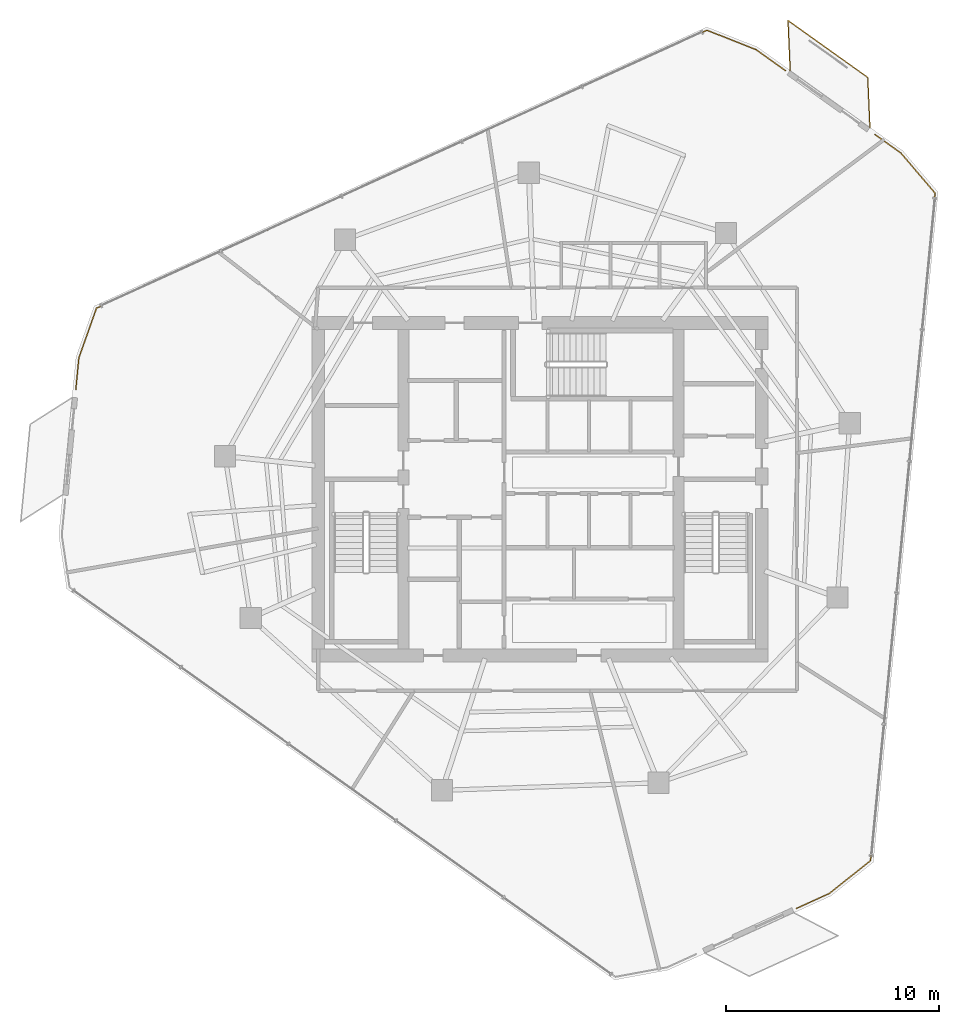
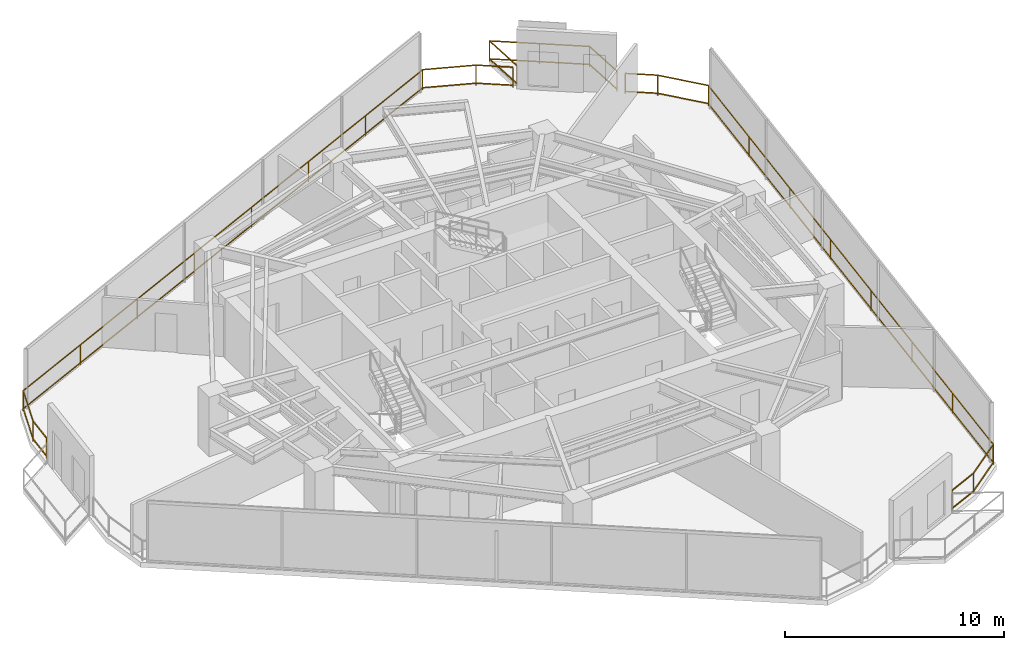
# One storey, part 21 of 21: 4 railings.
"""IFC4 building model written with IfcOpenShell, lengths in metres."""

from ifc_helpers import new_model, si_unit, direction, frame, origin, origin_2d, place, context, subcontext, project, spatial, rectangle, extrude, material, type_object, element, save


model = new_model("IFC4")

# Units and contexts
model_context = context("Model", 3, precision=1e-05, world=origin(), true_north=direction((0.0, 1.0)))
body_context = subcontext(model_context, "Body", "Model", "MODEL_VIEW")
ifc_project = project(units=[si_unit("LENGTHUNIT", "METRE"), si_unit("AREAUNIT", "SQUARE_METRE"), si_unit("VOLUMEUNIT", "CUBIC_METRE"), si_unit("PLANEANGLEUNIT", "RADIAN"), si_unit("MASSUNIT", "GRAM", prefix="KILO")], contexts=[model_context])

# Site, building, storey
site_placement = place(None, origin())
site = spatial("IfcSite", under=ifc_project, at=site_placement, CompositionType="ELEMENT")
building_placement = place(site_placement, origin())
building = spatial("IfcBuilding", under=site, at=building_placement, Name="Qarnah Convention Tower", CompositionType="ELEMENT")
storey_placement = place(building_placement, frame((0.0, 0.0, 158.10009765625)))
storey = spatial("IfcBuildingStorey", under=building, at=storey_placement, Name="L42", CompositionType="ELEMENT", Elevation=158.10009765625)

# Railings
ifc_material = material(Name="Black anodised aluminium", Category="aluminium")
railing_type = type_object("IfcRailingType", Name="RL-EXT-GUARD-1150", PredefinedType="GUARDRAIL", material=ifc_material)
railing_1_placement = place(storey_placement, frame((47.3291015625, 47.01904296875, 0.0)))
element("IfcRailing", 1, at=railing_1_placement, inside=storey, type_object=railing_type, Name="L42 slab-edge perimeter safety guard 01", PredefinedType="GUARDRAIL", context=body_context, shape_type="SweptSolid", body=[
    extrude(rectangle(XDim=0.048095703125, YDim=0.048095703125, at=origin_2d()), frame((0.0, 0.0, 1.1259765625), z_axis=(0.813733471207, -0.581238193719, 0.0), x_axis=(0.581238193719, 0.813733471207, 0.0)), (0.0, 0.0, 1.0), 1.703125),
    extrude(rectangle(XDim=0.048095703125, YDim=0.048095703125, at=origin_2d()), frame((0.0, 0.0, 0.1201171875), z_axis=(0.813733471207, -0.581238193719, 0.0), x_axis=(0.581238193719, 0.813733471207, 0.0)), (0.0, 0.0, 1.0), 1.703125),
    extrude(rectangle(XDim=0.0419921875, YDim=0.0419921875, at=origin_2d()), origin(), (0.0, 0.0, 1.0), 1.101806640625),
    extrude(rectangle(XDim=0.0419921875, YDim=0.0419921875, at=origin_2d()), frame((1.385986328125, -0.989990234375, 0.0)), (0.0, 0.0, 1.0), 1.101806640625),
])
railing_2_placement = place(storey_placement, frame((52.9140625, 43.032958984375, 0.0)))
element("IfcRailing", 2, at=railing_2_placement, inside=storey, type_object=railing_type, Name="L42 slab-edge perimeter safety guard 02", PredefinedType="GUARDRAIL", context=body_context, shape_type="SweptSolid", body=[
    extrude(rectangle(XDim=0.048095703125, YDim=0.048095703125, at=origin_2d()), frame((0.0, 0.0, 1.1259765625), z_axis=(0.813766646208, -0.581191745914, 0.0), x_axis=(0.581191745914, 0.813766646208, 0.0)), (0.0, 0.0, 1.0), 1.49169921875),
    extrude(rectangle(XDim=0.048095703125, YDim=0.048095703125, at=origin_2d()), frame((0.0, 0.0, 0.1201171875), z_axis=(0.813766646208, -0.581191745914, 0.0), x_axis=(0.581191745914, 0.813766646208, 0.0)), (0.0, 0.0, 1.0), 1.49169921875),
    extrude(rectangle(XDim=0.048095703125, YDim=0.048095703125, at=origin_2d()), frame((1.2138671875, -0.866943359375, 1.1259765625), z_axis=(0.649047578598, -0.760747816767, 0.0), x_axis=(0.760747816767, 0.649047578598, 0.0)), (0.0, 0.0, 1.0), 2.4697265625),
    extrude(rectangle(XDim=0.048095703125, YDim=0.048095703125, at=origin_2d()), frame((1.2138671875, -0.866943359375, 0.1201171875), z_axis=(0.649047578598, -0.760747816767, 0.0), x_axis=(0.760747816767, 0.649047578598, 0.0)), (0.0, 0.0, 1.0), 2.4697265625),
    extrude(rectangle(XDim=0.048095703125, YDim=0.048095703125, at=origin_2d()), frame((2.81689453125, -2.745849609375, 1.1259765625), z_axis=(-0.096227950936, -0.995359322787, 0.0), x_axis=(0.995359322787, -0.096227950936, 0.0)), (0.0, 0.0, 1.0), 31.455078125),
    extrude(rectangle(XDim=0.048095703125, YDim=0.048095703125, at=origin_2d()), frame((2.81689453125, -2.745849609375, 0.1201171875), z_axis=(-0.096227950936, -0.995359322787, 0.0), x_axis=(0.995359322787, -0.096227950936, 0.0)), (0.0, 0.0, 1.0), 31.455078125),
    extrude(rectangle(XDim=0.048095703125, YDim=0.048095703125, at=origin_2d()), frame((-0.2099609375, -34.054931640625, 1.1259765625), z_axis=(-0.782524449091, -0.622619857196, 0.0), x_axis=(0.622619857196, -0.782524449091, 0.0)), (0.0, 0.0, 1.0), 2.470458984375),
    extrude(rectangle(XDim=0.048095703125, YDim=0.048095703125, at=origin_2d()), frame((-0.2099609375, -34.054931640625, 0.1201171875), z_axis=(-0.782524449091, -0.622619857196, 0.0), x_axis=(0.622619857196, -0.782524449091, 0.0)), (0.0, 0.0, 1.0), 2.470458984375),
    extrude(rectangle(XDim=0.048095703125, YDim=0.048095703125, at=origin_2d()), frame((-2.14306640625, -35.593017578125, 1.1259765625), z_axis=(-0.910209203012, -0.414148773695, 0.0), x_axis=(0.414148773695, -0.910209203012, 0.0)), (0.0, 0.0, 1.0), 1.701904296875),
    extrude(rectangle(XDim=0.048095703125, YDim=0.048095703125, at=origin_2d()), frame((-2.14306640625, -35.593017578125, 0.1201171875), z_axis=(-0.910209203012, -0.414148773695, 0.0), x_axis=(0.414148773695, -0.910209203012, 0.0)), (0.0, 0.0, 1.0), 1.701904296875),
    extrude(rectangle(XDim=0.0419921875, YDim=0.0419921875, at=origin_2d()), origin(), (0.0, 0.0, 1.0), 1.101806640625),
    extrude(rectangle(XDim=0.0419921875, YDim=0.0419921875, at=origin_2d()), frame((1.2138671875, -0.866943359375, 0.0)), (0.0, 0.0, 1.0), 1.101806640625),
    extrude(rectangle(XDim=0.0419921875, YDim=0.0419921875, at=origin_2d()), frame((2.81689453125, -2.745849609375, 0.0)), (0.0, 0.0, 1.0), 1.101806640625),
    extrude(rectangle(XDim=0.0419921875, YDim=0.0419921875, at=origin_2d()), frame((2.384521484375, -7.218505859375, 0.0)), (0.0, 0.0, 1.0), 1.101806640625),
    extrude(rectangle(XDim=0.0419921875, YDim=0.0419921875, at=origin_2d()), frame((1.9521484375, -11.69140625, 0.0)), (0.0, 0.0, 1.0), 1.101806640625),
    extrude(rectangle(XDim=0.0419921875, YDim=0.0419921875, at=origin_2d()), frame((1.519775390625, -16.1640625, 0.0)), (0.0, 0.0, 1.0), 1.101806640625),
    extrude(rectangle(XDim=0.0419921875, YDim=0.0419921875, at=origin_2d()), frame((1.087158203125, -20.63671875, 0.0)), (0.0, 0.0, 1.0), 1.101806640625),
    extrude(rectangle(XDim=0.0419921875, YDim=0.0419921875, at=origin_2d()), frame((0.65478515625, -25.109375, 0.0)), (0.0, 0.0, 1.0), 1.101806640625),
    extrude(rectangle(XDim=0.0419921875, YDim=0.0419921875, at=origin_2d()), frame((0.222412109375, -29.582275390625, 0.0)), (0.0, 0.0, 1.0), 1.101806640625),
    extrude(rectangle(XDim=0.0419921875, YDim=0.0419921875, at=origin_2d()), frame((-0.2099609375, -34.054931640625, 0.0)), (0.0, 0.0, 1.0), 1.101806640625),
    extrude(rectangle(XDim=0.0419921875, YDim=0.0419921875, at=origin_2d()), frame((-2.14306640625, -35.593017578125, 0.0)), (0.0, 0.0, 1.0), 1.101806640625),
    extrude(rectangle(XDim=0.0419921875, YDim=0.0419921875, at=origin_2d()), frame((-3.692138671875, -36.2978515625, 0.0)), (0.0, 0.0, 1.0), 1.101806640625),
])
railing_3_placement = place(storey_placement, frame((15.43408203125, 31.077880859375, 0.0)))
element("IfcRailing", 3, at=railing_3_placement, inside=storey, type_object=railing_type, Name="L42 slab-edge perimeter safety guard 04", PredefinedType="GUARDRAIL", context=body_context, shape_type="SweptSolid", body=[
    extrude(rectangle(XDim=0.048095703125, YDim=0.048095703125, at=origin_2d()), frame((0.0, 0.0, 1.1259765625), z_axis=(0.096439314396, 0.995338866235, 0.0), x_axis=(-0.995338866235, 0.096439314396, 0.0)), (0.0, 0.0, 1.0), 1.490966796875),
    extrude(rectangle(XDim=0.048095703125, YDim=0.048095703125, at=origin_2d()), frame((0.0, 0.0, 0.1201171875), z_axis=(0.096439314396, 0.995338866235, 0.0), x_axis=(-0.995338866235, 0.096439314396, 0.0)), (0.0, 0.0, 1.0), 1.490966796875),
    extrude(rectangle(XDim=0.048095703125, YDim=0.048095703125, at=origin_2d()), frame((0.143798828125, 1.484130859375, 1.1259765625), z_axis=(0.334112456779, 0.942533217571, 0.0), x_axis=(-0.942533217571, 0.334112456779, 0.0)), (0.0, 0.0, 1.0), 2.4697265625),
    extrude(rectangle(XDim=0.048095703125, YDim=0.048095703125, at=origin_2d()), frame((0.143798828125, 1.484130859375, 0.1201171875), z_axis=(0.334112456779, 0.942533217571, 0.0), x_axis=(-0.942533217571, 0.334112456779, 0.0)), (0.0, 0.0, 1.0), 2.4697265625),
    extrude(rectangle(XDim=0.048095703125, YDim=0.048095703125, at=origin_2d()), frame((0.968994140625, 3.81201171875, 1.1259765625), z_axis=(0.910102626445, 0.414382925972, 0.0), x_axis=(-0.414382925972, 0.910102626445, 0.0)), (0.0, 0.0, 1.0), 31.456787109375),
    extrude(rectangle(XDim=0.048095703125, YDim=0.048095703125, at=origin_2d()), frame((0.968994140625, 3.81201171875, 0.1201171875), z_axis=(0.910102626445, 0.414382925972, 0.0), x_axis=(-0.414382925972, 0.910102626445, 0.0)), (0.0, 0.0, 1.0), 31.456787109375),
    extrude(rectangle(XDim=0.048095703125, YDim=0.048095703125, at=origin_2d()), frame((29.597900390625, 16.84716796875, 1.1259765625), z_axis=(0.930259147633, -0.366903145591, 0.0), x_axis=(0.366903145591, 0.930259147633, 0.0)), (0.0, 0.0, 1.0), 2.46923828125),
    extrude(rectangle(XDim=0.048095703125, YDim=0.048095703125, at=origin_2d()), frame((29.597900390625, 16.84716796875, 0.1201171875), z_axis=(0.930259147633, -0.366903145591, 0.0), x_axis=(0.366903145591, 0.930259147633, 0.0)), (0.0, 0.0, 1.0), 2.46923828125),
    extrude(rectangle(XDim=0.0419921875, YDim=0.0419921875, at=origin_2d()), origin(), (0.0, 0.0, 1.0), 1.101806640625),
    extrude(rectangle(XDim=0.0419921875, YDim=0.0419921875, at=origin_2d()), frame((0.143798828125, 1.484130859375, 0.0)), (0.0, 0.0, 1.0), 1.101806640625),
    extrude(rectangle(XDim=0.0419921875, YDim=0.0419921875, at=origin_2d()), frame((0.968994140625, 3.81201171875, 0.0)), (0.0, 0.0, 1.0), 1.101806640625),
    extrude(rectangle(XDim=0.0419921875, YDim=0.0419921875, at=origin_2d()), frame((5.058837890625, 5.674072265625, 0.0)), (0.0, 0.0, 1.0), 1.101806640625),
    extrude(rectangle(XDim=0.0419921875, YDim=0.0419921875, at=origin_2d()), frame((9.148681640625, 7.536376953125, 0.0)), (0.0, 0.0, 1.0), 1.101806640625),
    extrude(rectangle(XDim=0.0419921875, YDim=0.0419921875, at=origin_2d()), frame((13.238525390625, 9.3984375, 0.0)), (0.0, 0.0, 1.0), 1.101806640625),
    extrude(rectangle(XDim=0.0419921875, YDim=0.0419921875, at=origin_2d()), frame((17.328369140625, 11.2607421875, 0.0)), (0.0, 0.0, 1.0), 1.101806640625),
    extrude(rectangle(XDim=0.0419921875, YDim=0.0419921875, at=origin_2d()), frame((21.418212890625, 13.122802734375, 0.0)), (0.0, 0.0, 1.0), 1.101806640625),
    extrude(rectangle(XDim=0.0419921875, YDim=0.0419921875, at=origin_2d()), frame((25.508056640625, 14.985107421875, 0.0)), (0.0, 0.0, 1.0), 1.101806640625),
    extrude(rectangle(XDim=0.0419921875, YDim=0.0419921875, at=origin_2d()), frame((29.597900390625, 16.84716796875, 0.0)), (0.0, 0.0, 1.0), 1.101806640625),
    extrude(rectangle(XDim=0.0419921875, YDim=0.0419921875, at=origin_2d()), frame((31.89501953125, 15.941162109375, 0.0)), (0.0, 0.0, 1.0), 1.101806640625),
])
railing_4_placement = place(storey_placement, frame((48.93505859375, 46.0390625, 0.0)))
element("IfcRailing", 4, at=railing_4_placement, inside=storey, type_object=railing_type, Name="L42 balcony safety guard BAL-L42-C1", PredefinedType="GUARDRAIL", context=body_context, shape_type="SweptSolid", body=[
    extrude(rectangle(XDim=0.048095703125, YDim=0.048095703125, at=origin_2d()), frame((0.0, 0.0, 1.1259765625), z_axis=(-0.043477848573, 0.999054391254, 0.0), x_axis=(-0.999054391254, -0.043477848573, 0.0)), (0.0, 0.0, 1.0), 2.34716796875),
    extrude(rectangle(XDim=0.048095703125, YDim=0.048095703125, at=origin_2d()), frame((0.0, 0.0, 0.1201171875), z_axis=(-0.043477848573, 0.999054391254, 0.0), x_axis=(-0.999054391254, -0.043477848573, 0.0)), (0.0, 0.0, 1.0), 2.34716796875),
    extrude(rectangle(XDim=0.048095703125, YDim=0.048095703125, at=origin_2d()), frame((-0.10205078125, 2.344970703125, 1.1259765625), z_axis=(0.813948595854, -0.580936901312, 0.0), x_axis=(0.580936901312, 0.813948595854, 0.0)), (0.0, 0.0, 1.0), 4.599609375),
    extrude(rectangle(XDim=0.048095703125, YDim=0.048095703125, at=origin_2d()), frame((-0.10205078125, 2.344970703125, 0.1201171875), z_axis=(0.813948595854, -0.580936901312, 0.0), x_axis=(0.580936901312, 0.813948595854, 0.0)), (0.0, 0.0, 1.0), 4.599609375),
    extrude(rectangle(XDim=0.048095703125, YDim=0.048095703125, at=origin_2d()), frame((3.641845703125, -0.3271484375, 1.1259765625), z_axis=(0.043459783962, -0.999055177244, 0.0), x_axis=(0.999055177244, 0.043459783962, 0.0)), (0.0, 0.0, 1.0), 2.34814453125),
    extrude(rectangle(XDim=0.048095703125, YDim=0.048095703125, at=origin_2d()), frame((3.641845703125, -0.3271484375, 0.1201171875), z_axis=(0.043459783962, -0.999055177244, 0.0), x_axis=(0.999055177244, 0.043459783962, 0.0)), (0.0, 0.0, 1.0), 2.34814453125),
    extrude(rectangle(XDim=0.0419921875, YDim=0.0419921875, at=origin_2d()), origin(), (0.0, 0.0, 1.0), 1.101806640625),
    extrude(rectangle(XDim=0.0419921875, YDim=0.0419921875, at=origin_2d()), frame((-0.10205078125, 2.344970703125, 0.0)), (0.0, 0.0, 1.0), 1.101806640625),
    extrude(rectangle(XDim=0.0419921875, YDim=0.0419921875, at=origin_2d()), frame((1.77001953125, 1.0087890625, 0.0)), (0.0, 0.0, 1.0), 1.101806640625),
    extrude(rectangle(XDim=0.0419921875, YDim=0.0419921875, at=origin_2d()), frame((3.641845703125, -0.3271484375, 0.0)), (0.0, 0.0, 1.0), 1.101806640625),
    extrude(rectangle(XDim=0.0419921875, YDim=0.0419921875, at=origin_2d()), frame((3.743896484375, -2.673095703125, 0.0)), (0.0, 0.0, 1.0), 1.101806640625),
])

save(model, "model.ifc")
